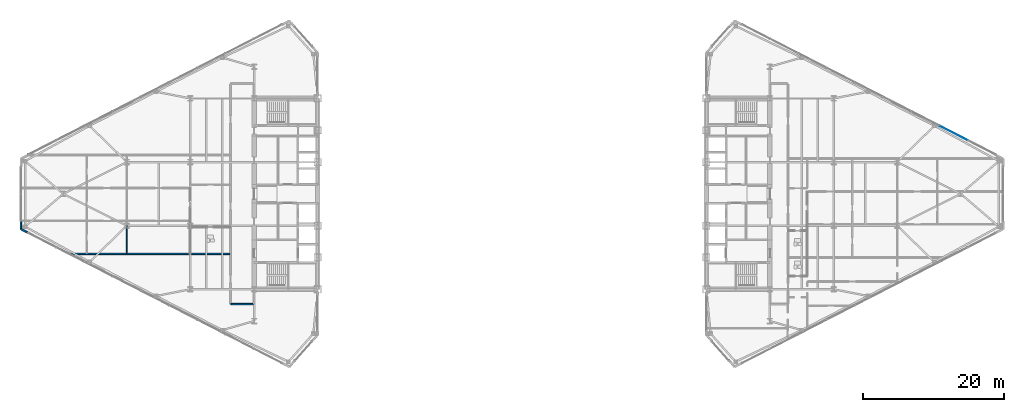
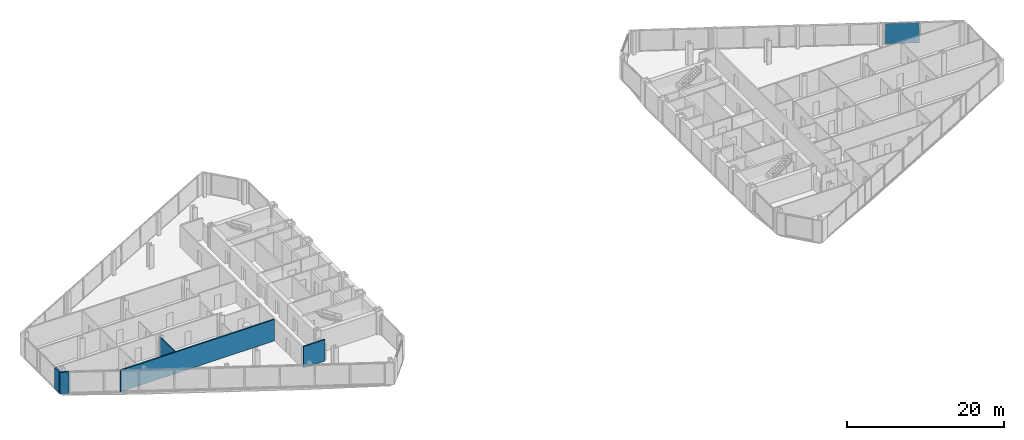
# One storey, part 15 of 23: 5 walls, 1 plate, 1 element without a shape of its own.
"""IFC4 building model written with IfcOpenShell, lengths in metres."""

from ifc_helpers import new_model, si_unit, direction, frame, frame_2d, origin, origin_2d, place, context, subcontext, project, spatial, rectangle, extrude, source, transform, mapped, material, layer, layer_set, type_object, type_shapes, element, aggregate, save


model = new_model("IFC4")

# Units and contexts
model_context = context("Model", 3, precision=1e-05, world=origin(), true_north=direction((0.0, 1.0)))
body_context = subcontext(model_context, "Body", "Model", "MODEL_VIEW")
ifc_project = project(units=[si_unit("LENGTHUNIT", "METRE"), si_unit("AREAUNIT", "SQUARE_METRE"), si_unit("VOLUMEUNIT", "CUBIC_METRE"), si_unit("PLANEANGLEUNIT", "RADIAN"), si_unit("MASSUNIT", "GRAM", prefix="KILO")], contexts=[model_context])

# Site, building, storey
site_placement = place(None, origin())
site = spatial("IfcSite", under=ifc_project, at=site_placement, CompositionType="ELEMENT")
building_placement = place(site_placement, origin())
building = spatial("IfcBuilding", under=site, at=building_placement, Name="Seokmaru Belvedere", CompositionType="ELEMENT")
storey_placement = place(building_placement, frame((0.0, 0.0, 132.0)))
storey = spatial("IfcBuildingStorey", under=building, at=storey_placement, Name="L35", CompositionType="ELEMENT", Elevation=132.0)

# Curtain wall, plate
ifc_material_1 = material(Name="Bronze Triple Insulating Glass", Category="glass")
ifc_layer_1 = layer(ifc_material_1, 0.195068359375)
ifc_layer_set_1 = layer_set([ifc_layer_1], Name="Bronze Triple Insulating Glass")
curtain_wall_type = type_object("IfcCurtainWallType", Name="Sky-Lobby and Mid-Rise Curtain Wall System CW-4", PredefinedType="NOTDEFINED", material=ifc_layer_set_1)
curtain_wall_placement = place(storey_placement, origin())
curtain_wall = element("IfcCurtainWall", 1, at=curtain_wall_placement, inside=storey, type_object=curtain_wall_type, Name="L35 Curtain Wall EF3", PredefinedType="NOTDEFINED")
ifc_layer_2 = layer(ifc_material_1, 0.035888671875)
ifc_layer_set_2 = layer_set([ifc_layer_2], Name="Bronze Triple Insulating Glass")
plate_type = type_object("IfcPlateType", Name="Bronze Triple Vision Glazing Panel 36", PredefinedType="CURTAIN_PANEL", material=ifc_layer_set_2)
shared_shape = source(origin(), body_context, "Body", "SweptSolid", [
    extrude(rectangle(XDim=4.420166015625, YDim=0.035888671875, at=origin_2d()), origin(), (0.0, 0.0, 1.0), 3.2099609375),
])
type_shapes(plate_type, [shared_shape])
plate_placement = place(storey_placement, frame((62.484619140625, 8.60009765625, 0.06494140625), z_axis=(0.0, 0.0, 1.0), x_axis=(-0.889695432562, 0.456554528263, 0.0)))
plate = element("IfcPlate", 2, at=plate_placement, type_object=plate_type, Name="CW:L35:EF3 Glazing Panel 2-1", PredefinedType="CURTAIN_PANEL", context=body_context, shape_type="MappedRepresentation", body=[
    mapped(shared_shape, transform((0.0, 0.0, 0.0), scale=1.0)),
])
aggregate(curtain_wall, [plate])

# Walls
ifc_material_2 = material(Name="Fire-Rated Gypsum Shaftwall")
ifc_layer_3 = layer(ifc_material_2, 0.14990234375)
ifc_layer_set_3 = layer_set([ifc_layer_3], Name="Fire-Rated Gypsum Shaftwall")
wall_type_1 = type_object("IfcWallType", Name="Apartment Fire-Acoustic Room Partition 150", PredefinedType="PARTITIONING", material=ifc_layer_set_3)
wall_1_placement = place(storey_placement, frame((-54.5, -8.449951171875, 0.0), z_axis=(0.0, 0.0, 1.0), x_axis=(0.0, 1.0, 0.0)))
element("IfcWall", 3, at=wall_1_placement, inside=storey, type_object=wall_type_1, Name="L35 Interior Partition 023", PredefinedType="PARTITIONING", context=body_context, shape_type="SweptSolid", body=[
    extrude(rectangle(XDim=3.929931640625, YDim=0.14990234375, at=frame_2d((1.96484375, 0.0))), origin(), (0.0, 0.0, 1.0), 3.340087890625),
])
ifc_layer_4 = layer(ifc_material_2, 0.199951171875)
ifc_layer_set_4 = layer_set([ifc_layer_4], Name="Fire-Rated Gypsum Shaftwall")
wall_type_2 = type_object("IfcWallType", Name="Inter-Tenancy Fire Compartment Partition 200", PredefinedType="PARTITIONING", material=ifc_layer_set_4)
wall_2_placement = place(storey_placement, frame((-39.764892578125, -15.60009765625, 0.0), z_axis=(0.0, 0.0, 1.0), x_axis=(1.0, 0.0, 0.0)))
element("IfcWall", 4, at=wall_2_placement, inside=storey, type_object=wall_type_2, Name="L35 Interior Partition 003", PredefinedType="PARTITIONING", context=body_context, shape_type="SweptSolid", body=[
    extrude(rectangle(XDim=3.179931640625, YDim=0.199951171875, at=frame_2d((1.58984375, 0.0))), origin(), (0.0, 0.0, 1.0), 3.340087890625),
])
wall_3_placement = place(storey_placement, frame((-62.68994140625, -8.5, 0.0), z_axis=(0.0, 0.0, 1.0), x_axis=(1.0, 0.0, 0.0)))
element("IfcWall", 5, at=wall_3_placement, inside=storey, type_object=wall_type_2, Name="L35 Interior Partition 009", PredefinedType="PARTITIONING", context=body_context, shape_type="SweptSolid", body=[
    extrude(rectangle(XDim=22.760009765625, YDim=0.199951171875, at=frame_2d((11.3798828125, 0.0))), origin(), (0.0, 0.0, 1.0), 3.340087890625),
])
ifc_material_3 = material(Name="Anodised Bronze Aluminium", Category="aluminium")
ifc_layer_5 = layer(ifc_material_3, 0.239990234375)
ifc_layer_set_5 = layer_set([ifc_layer_5], Name="Anodised Bronze Aluminium")
wall_type_3 = type_object("IfcWallType", Name="Tower Corner Spandrel Closure Wall 240", PredefinedType="SOLIDWALL", material=ifc_layer_set_5)
wall_4_placement = place(storey_placement, frame((-69.5, -3.85009765625, 0.0), z_axis=(0.0, 0.0, 1.0), x_axis=(0.0, -1.0, 0.0)))
element("IfcWall", 6, at=wall_4_placement, inside=storey, type_object=wall_type_3, Name="L35 W Corner Closure Pier 4B", PredefinedType="SOLIDWALL", context=body_context, shape_type="SweptSolid", body=[
    extrude(rectangle(XDim=1.139892578125, YDim=0.239990234375, at=frame_2d((0.56982421875, 0.0))), origin(), (0.0, 0.0, 1.0), 3.340087890625),
])
wall_5_placement = place(storey_placement, frame((-69.4912109375, -5.004638671875, 0.0), z_axis=(0.0, 0.0, 1.0), x_axis=(0.889797395748, -0.456355776255, 0.0)))
element("IfcWall", 7, at=wall_5_placement, inside=storey, type_object=wall_type_3, Name="L35 W Corner Closure Pier 5A", PredefinedType="SOLIDWALL", context=body_context, shape_type="SweptSolid", body=[
    extrude(rectangle(XDim=1.14013671875, YDim=0.239990234375, at=frame_2d((0.570068359375, 0.0))), origin(), (0.0, 0.0, 1.0), 3.340087890625),
])

save(model, "model.ifc")
